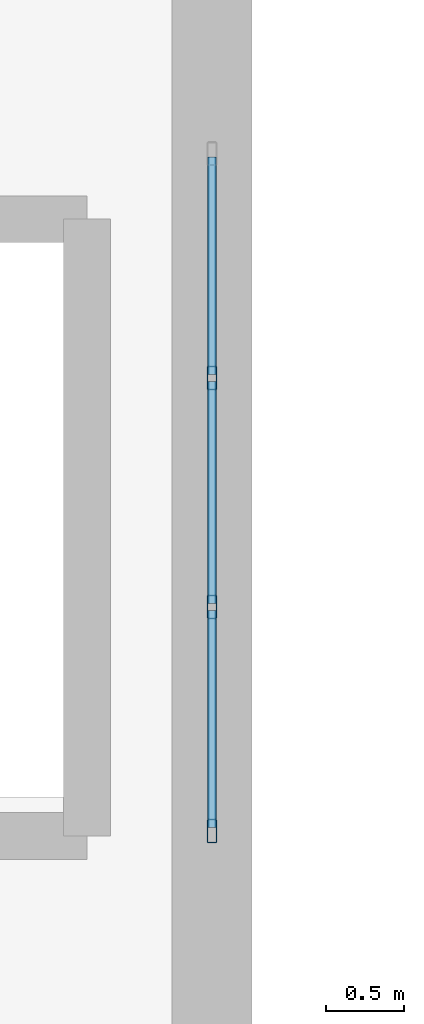
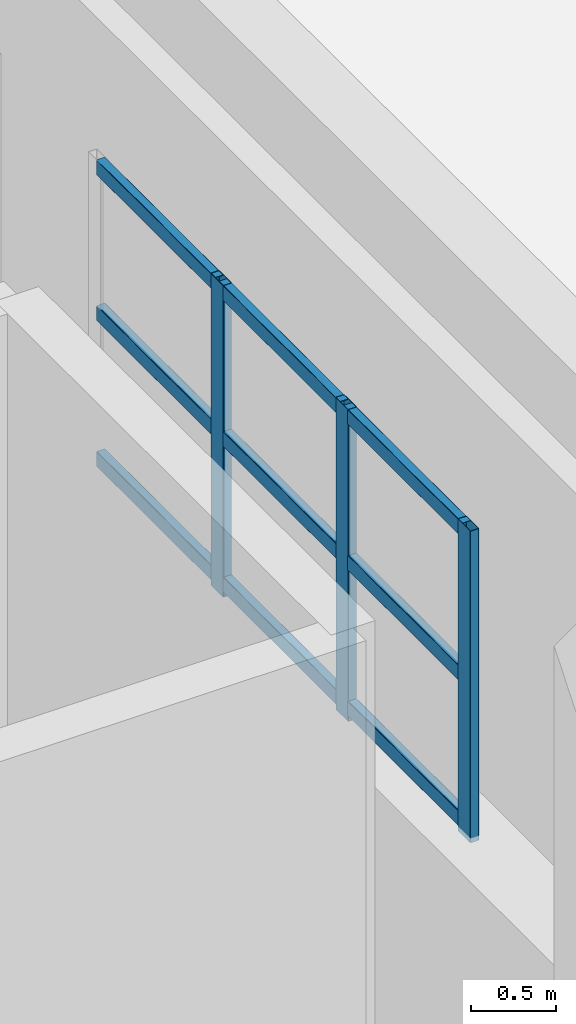
# One storey, part 129 of 197: 12 members, 1 element without a shape of its own.
"""IFC4 building model written with IfcOpenShell, lengths in metres."""

from ifc_helpers import new_model, si_unit, derived_unit, direction, frame, origin, origin_2d, place, context, subcontext, project, spatial, hollow_rectangle, extrude, material, layer, layer_set, material_profile, profile_set, type_object, element, aggregate, save


model = new_model("IFC4")

# Units and contexts
model_context = context("Model", 3, precision=1e-05, world=origin(), true_north=direction((0.0, 1.0)))
body_context = subcontext(model_context, "Body", "Model", "MODEL_VIEW")
ifc_project = project(units=[si_unit("LENGTHUNIT", "METRE"), si_unit("AREAUNIT", "SQUARE_METRE"), si_unit("VOLUMEUNIT", "CUBIC_METRE"), si_unit("PLANEANGLEUNIT", "RADIAN"), si_unit("MASSUNIT", "GRAM", prefix="KILO"), derived_unit("THERMALTRANSMITTANCEUNIT", [(si_unit("POWERUNIT", "WATT"), 1), (si_unit("LENGTHUNIT", "METRE"), -2), (si_unit("THERMODYNAMICTEMPERATUREUNIT", "KELVIN"), -1)])], contexts=[model_context])

# Site, building, storey
site_placement = place(None, origin())
site = spatial("IfcSite", under=ifc_project, at=site_placement, CompositionType="ELEMENT")
building_placement = place(site_placement, origin())
building = spatial("IfcBuilding", under=site, at=building_placement, Name="Almenara Railside Exhibition Hall", CompositionType="ELEMENT")
storey_placement = place(building_placement, frame((0.0, 0.0, 5.39990234375)))
storey = spatial("IfcBuildingStorey", under=building, at=storey_placement, Name="L01", CompositionType="ELEMENT", Elevation=5.39990234375)

# Curtain wall, members
ifc_material_1 = material(Name="Bronze-anodised aluminium and low-E double glazing", Category="aluminium")
ifc_layer = layer(ifc_material_1, 0.179931640625, Name="Bronze-anodised aluminium and low-E double glazing")
ifc_layer_set = layer_set([ifc_layer], Name="Bronze-anodised aluminium and low-E double glazing")
curtain_wall_type = type_object("IfcCurtainWallType", Name="East Hall Clerestory Curtain Wall 4400x2300", PredefinedType="NOTDEFINED", material=ifc_layer_set)
curtain_wall_placement = place(storey_placement, origin())
curtain_wall = element("IfcCurtainWall", 1, at=curtain_wall_placement, inside=storey, type_object=curtain_wall_type, Name="Curtain wall CW-CL3-069", PredefinedType="NOTDEFINED")
ifc_material_2 = material(Name="Bronze-anodised aluminium", Category="aluminium")
ifc_material_profile_1 = material_profile(ifc_material_2, hollow_rectangle(XDim=0.06005859375, YDim=0.14990234375, WallThickness=0.00341796875, InnerFilletRadius=0.00341796875, OuterFilletRadius=0.007080078125, at=origin_2d()), Name="ALU-MUL 60x150x3.5")
ifc_profile_set_1 = profile_set([ifc_material_profile_1], Name="Bronze-anodised aluminium")
member_type_1 = type_object("IfcMemberType", Name="Curtain Wall Mullion 60x150x3.5", PredefinedType="MULLION", material=ifc_profile_set_1)
member_1_placement = place(storey_placement, frame((192.0, 92.030029296875, 3.614990234375), z_axis=(0.0, 0.0, 1.0), x_axis=(-1.0, 0.0, 0.0)))
member_1 = element("IfcMember", 2, at=member_1_placement, type_object=member_type_1, Name="CW-CL3-069 mullion 1", PredefinedType="MULLION", context=body_context, shape_type="SweptSolid", body=[
    extrude(hollow_rectangle(XDim=0.06005859375, YDim=0.14990234375, WallThickness=0.00341796875, InnerFilletRadius=0.00341796875, OuterFilletRadius=0.007080078125, at=origin_2d()), origin(), (0.0, 0.0, 1.0), 2.235107421875),
])
member_2_placement = place(storey_placement, frame((192.0, 93.466552734375, 3.614990234375), z_axis=(0.0, 0.0, 1.0), x_axis=(-1.0, 0.0, 0.0)))
member_2 = element("IfcMember", 3, at=member_2_placement, type_object=member_type_1, Name="CW-CL3-069 mullion 2", PredefinedType="MULLION", context=body_context, shape_type="SweptSolid", body=[
    extrude(hollow_rectangle(XDim=0.06005859375, YDim=0.14990234375, WallThickness=0.00341796875, InnerFilletRadius=0.00341796875, OuterFilletRadius=0.007080078125, at=origin_2d()), origin(), (0.0, 0.0, 1.0), 2.235107421875),
])
member_3_placement = place(storey_placement, frame((192.0, 94.933349609375, 3.614990234375), z_axis=(0.0, 0.0, 1.0), x_axis=(-1.0, 0.0, 0.0)))
member_3 = element("IfcMember", 4, at=member_3_placement, type_object=member_type_1, Name="CW-CL3-069 mullion 3", PredefinedType="MULLION", context=body_context, shape_type="SweptSolid", body=[
    extrude(hollow_rectangle(XDim=0.06005859375, YDim=0.14990234375, WallThickness=0.00341796875, InnerFilletRadius=0.00341796875, OuterFilletRadius=0.007080078125, at=origin_2d()), origin(), (0.0, 0.0, 1.0), 2.235107421875),
])
ifc_material_profile_2 = material_profile(ifc_material_2, hollow_rectangle(XDim=0.06005859375, YDim=0.110107421875, WallThickness=0.0029296875, InnerFilletRadius=0.0029296875, OuterFilletRadius=0.006103515625, at=origin_2d()), Name="ALU-TRN 60x110x3")
ifc_profile_set_2 = profile_set([ifc_material_profile_2], Name="Bronze-anodised aluminium")
member_type_2 = type_object("IfcMemberType", Name="Curtain Wall Transom 60x110x3", PredefinedType="USERDEFINED", material=ifc_profile_set_2)
member_4_placement = place(storey_placement, frame((192.0, 92.052001953125, 3.705078125), z_axis=(0.0, 1.0, 0.0), x_axis=(-1.0, 0.0, 0.0)))
member_4 = element("IfcMember", 5, at=member_4_placement, type_object=member_type_2, Name="CW-CL3-069 transom 1.1", ObjectType="TRANSOM", PredefinedType="USERDEFINED", context=body_context, shape_type="SweptSolid", body=[
    extrude(hollow_rectangle(XDim=0.06005859375, YDim=0.110107421875, WallThickness=0.0029296875, InnerFilletRadius=0.0029296875, OuterFilletRadius=0.006103515625, at=origin_2d()), origin(), (0.0, 0.0, 1.0), 1.392578125),
])
member_5_placement = place(storey_placement, frame((192.0, 92.052001953125, 4.75), z_axis=(0.0, 1.0, 0.0), x_axis=(-1.0, 0.0, 0.0)))
member_5 = element("IfcMember", 6, at=member_5_placement, type_object=member_type_2, Name="CW-CL3-069 transom 1.2", ObjectType="TRANSOM", PredefinedType="USERDEFINED", context=body_context, shape_type="SweptSolid", body=[
    extrude(hollow_rectangle(XDim=0.06005859375, YDim=0.110107421875, WallThickness=0.0029296875, InnerFilletRadius=0.0029296875, OuterFilletRadius=0.006103515625, at=origin_2d()), origin(), (0.0, 0.0, 1.0), 1.392578125),
])
member_6_placement = place(storey_placement, frame((192.0, 92.052001953125, 5.795166015625), z_axis=(0.0, 1.0, 0.0), x_axis=(-1.0, 0.0, 0.0)))
member_6 = element("IfcMember", 7, at=member_6_placement, type_object=member_type_2, Name="CW-CL3-069 transom 1.3", ObjectType="TRANSOM", PredefinedType="USERDEFINED", context=body_context, shape_type="SweptSolid", body=[
    extrude(hollow_rectangle(XDim=0.06005859375, YDim=0.110107421875, WallThickness=0.0029296875, InnerFilletRadius=0.0029296875, OuterFilletRadius=0.006103515625, at=origin_2d()), origin(), (0.0, 0.0, 1.0), 1.392578125),
])
member_7_placement = place(storey_placement, frame((192.0, 93.48876953125, 3.705078125), z_axis=(0.0, 1.0, 0.0), x_axis=(-1.0, 0.0, 0.0)))
member_7 = element("IfcMember", 8, at=member_7_placement, type_object=member_type_2, Name="CW-CL3-069 transom 2.1", ObjectType="TRANSOM", PredefinedType="USERDEFINED", context=body_context, shape_type="SweptSolid", body=[
    extrude(hollow_rectangle(XDim=0.06005859375, YDim=0.110107421875, WallThickness=0.0029296875, InnerFilletRadius=0.0029296875, OuterFilletRadius=0.006103515625, at=origin_2d()), origin(), (0.0, 0.0, 1.0), 1.422607421875),
])
member_8_placement = place(storey_placement, frame((192.0, 93.48876953125, 4.75), z_axis=(0.0, 1.0, 0.0), x_axis=(-1.0, 0.0, 0.0)))
member_8 = element("IfcMember", 9, at=member_8_placement, type_object=member_type_2, Name="CW-CL3-069 transom 2.2", ObjectType="TRANSOM", PredefinedType="USERDEFINED", context=body_context, shape_type="SweptSolid", body=[
    extrude(hollow_rectangle(XDim=0.06005859375, YDim=0.110107421875, WallThickness=0.0029296875, InnerFilletRadius=0.0029296875, OuterFilletRadius=0.006103515625, at=origin_2d()), origin(), (0.0, 0.0, 1.0), 1.422607421875),
])
member_9_placement = place(storey_placement, frame((192.0, 93.48876953125, 5.795166015625), z_axis=(0.0, 1.0, 0.0), x_axis=(-1.0, 0.0, 0.0)))
member_9 = element("IfcMember", 10, at=member_9_placement, type_object=member_type_2, Name="CW-CL3-069 transom 2.3", ObjectType="TRANSOM", PredefinedType="USERDEFINED", context=body_context, shape_type="SweptSolid", body=[
    extrude(hollow_rectangle(XDim=0.06005859375, YDim=0.110107421875, WallThickness=0.0029296875, InnerFilletRadius=0.0029296875, OuterFilletRadius=0.006103515625, at=origin_2d()), origin(), (0.0, 0.0, 1.0), 1.422607421875),
])
member_10_placement = place(storey_placement, frame((192.0, 94.955322265625, 3.705078125), z_axis=(0.0, 1.0, 0.0), x_axis=(-1.0, 0.0, 0.0)))
member_10 = element("IfcMember", 11, at=member_10_placement, type_object=member_type_2, Name="CW-CL3-069 transom 3.1", ObjectType="TRANSOM", PredefinedType="USERDEFINED", context=body_context, shape_type="SweptSolid", body=[
    extrude(hollow_rectangle(XDim=0.06005859375, YDim=0.110107421875, WallThickness=0.0029296875, InnerFilletRadius=0.0029296875, OuterFilletRadius=0.006103515625, at=origin_2d()), origin(), (0.0, 0.0, 1.0), 1.392578125),
])
member_11_placement = place(storey_placement, frame((192.0, 94.955322265625, 4.75), z_axis=(0.0, 1.0, 0.0), x_axis=(-1.0, 0.0, 0.0)))
member_11 = element("IfcMember", 12, at=member_11_placement, type_object=member_type_2, Name="CW-CL3-069 transom 3.2", ObjectType="TRANSOM", PredefinedType="USERDEFINED", context=body_context, shape_type="SweptSolid", body=[
    extrude(hollow_rectangle(XDim=0.06005859375, YDim=0.110107421875, WallThickness=0.0029296875, InnerFilletRadius=0.0029296875, OuterFilletRadius=0.006103515625, at=origin_2d()), origin(), (0.0, 0.0, 1.0), 1.392578125),
])
member_12_placement = place(storey_placement, frame((192.0, 94.955322265625, 5.795166015625), z_axis=(0.0, 1.0, 0.0), x_axis=(-1.0, 0.0, 0.0)))
member_12 = element("IfcMember", 13, at=member_12_placement, type_object=member_type_2, Name="CW-CL3-069 transom 3.3", ObjectType="TRANSOM", PredefinedType="USERDEFINED", context=body_context, shape_type="SweptSolid", body=[
    extrude(hollow_rectangle(XDim=0.06005859375, YDim=0.110107421875, WallThickness=0.0029296875, InnerFilletRadius=0.0029296875, OuterFilletRadius=0.006103515625, at=origin_2d()), origin(), (0.0, 0.0, 1.0), 1.392578125),
])
aggregate(curtain_wall, [member_1, member_2, member_3, member_4, member_5, member_6, member_7, member_8, member_9, member_10, member_11, member_12])

save(model, "model.ifc")
